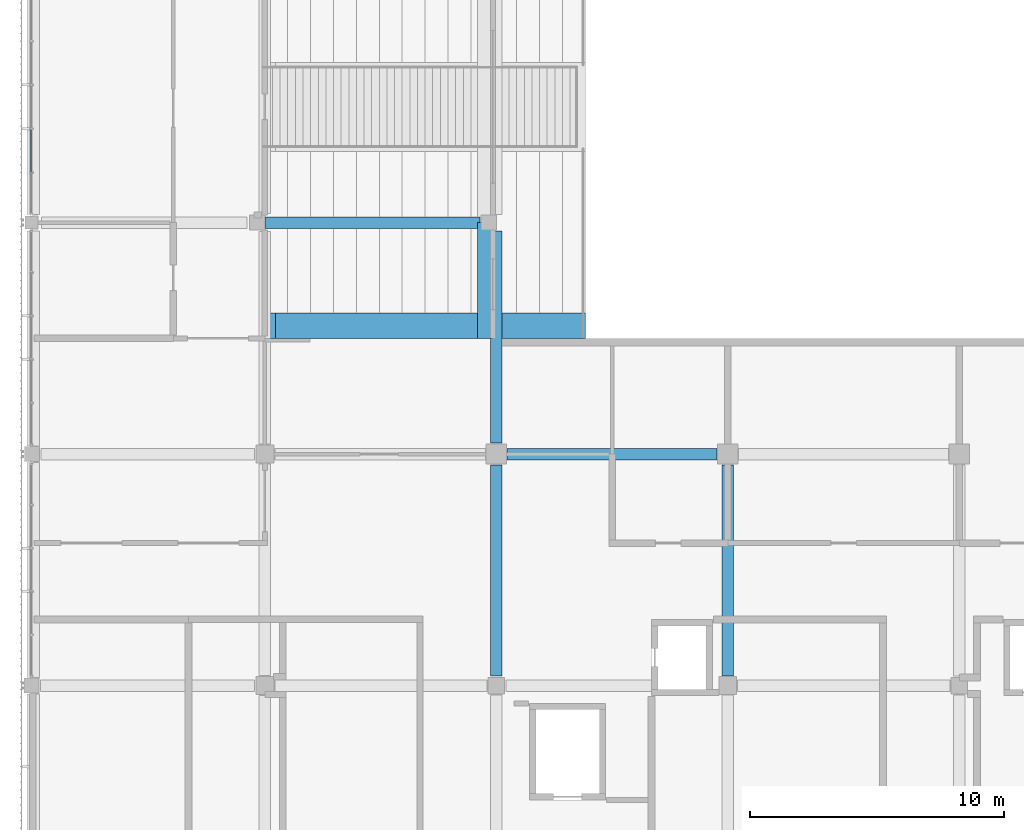
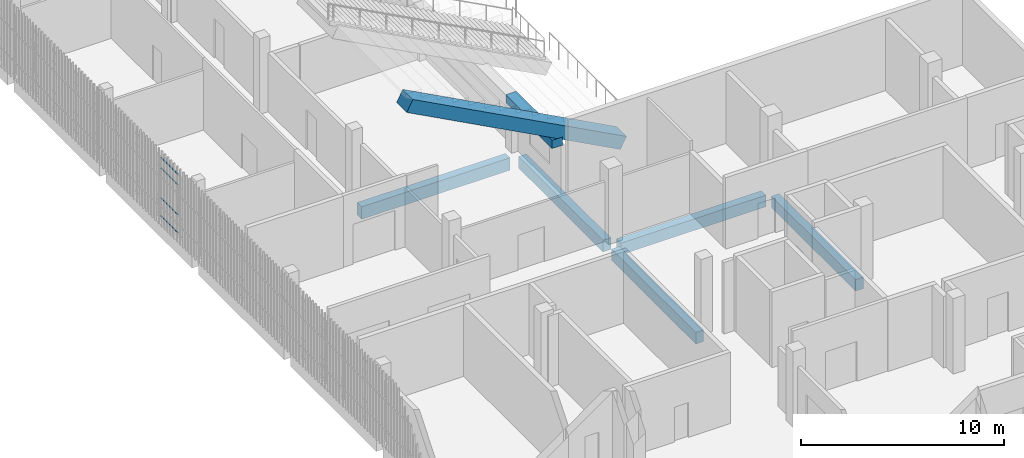
# One storey, part 17 of 139: 7 beams, 4 members, 1 element without a shape of its own.
"""IFC4 building model written with IfcOpenShell, lengths in metres."""

import ifcopenshell
import ifcopenshell.guid

model = None  # the IFC model being written
_history = None  # IfcOwnerHistory: only IFC2X3 demands one
_inside = {}  # id of a spatial element -> (the spatial element, [elements in it])
_under = {}  # id of a project, library or spatial element -> (it, [spatial elements below it])
_declared = {}  # id of a project -> (the project, [libraries it declares])
_typed = {}  # id of a type object -> (the type object, [elements of that type])
_made_of = {}  # id of a material, layer set ... -> (it, [elements and type objects made of it])


def new_model(schema):
    """Start an empty IFC model of exactly this schema.

    Asked for "IFC4X3", IfcOpenShell would pick the latest addendum, in which some entities
    have other attributes; the version numbers below select the first issue.
    IFC2X3 requires an IfcOwnerHistory on every rooted entity: one is made here for all.
    """
    global model, _history
    if schema == "IFC4X3":
        model = ifcopenshell.file(schema_version=(4, 3, 0, 0))
    else:
        model = ifcopenshell.file(schema=schema)
    _inside.clear()
    _under.clear()
    _declared.clear()
    _typed.clear()
    _made_of.clear()
    _history = None
    if model.schema == "IFC2X3":
        org = make("IfcOrganization", Name="unknown")
        user = make(
            "IfcPersonAndOrganization",
            ThePerson=make("IfcPerson", FamilyName="unknown"),
            TheOrganization=org,
        )
        app = make(
            "IfcApplication",
            ApplicationDeveloper=org,
            Version="unknown",
            ApplicationFullName="unknown",
            ApplicationIdentifier="unknown",
        )
        _history = make(
            "IfcOwnerHistory",
            OwningUser=user,
            OwningApplication=app,
            ChangeAction="ADDED",
            CreationDate=0,
        )
    return model


def make(cls, **values):
    """One entity of the class cls with the attributes given. An attribute that is None is left unset."""
    return model.create_entity(
        cls, **{name: value for name, value in values.items() if value is not None}
    )


def rooted(cls, **values):
    """An entity with a GlobalId (a new one), such as an element, a storey or a relation."""
    return make(cls, GlobalId=ifcopenshell.guid.new(), OwnerHistory=_history, **values)


def si_unit(unit_type, name, prefix=None):
    """IfcSIUnit, for example si_unit("LENGTHUNIT", "METRE", prefix="MILLI")."""
    return make("IfcSIUnit", UnitType=unit_type, Prefix=prefix, Name=name)


def assignment(units):
    """IfcUnitAssignment: the units of a project."""
    return None if units is None else make("IfcUnitAssignment", Units=units)


def point(xyz):
    """IfcCartesianPoint."""
    return None if xyz is None else make("IfcCartesianPoint", Coordinates=xyz)


def direction(xyz):
    """IfcDirection."""
    return None if xyz is None else make("IfcDirection", DirectionRatios=xyz)


def frame(location, z_axis=None, x_axis=None):
    """IfcAxis2Placement3D, a coordinate frame: its origin and axes. An axis left out is left unset."""
    return make(
        "IfcAxis2Placement3D",
        Location=point(location),
        Axis=direction(z_axis),
        RefDirection=direction(x_axis),
    )


def frame_2d(location, x_axis=None):
    """IfcAxis2Placement2D, a coordinate frame in the plane: its origin and x axis."""
    return make(
        "IfcAxis2Placement2D", Location=point(location), RefDirection=direction(x_axis)
    )


def origin():
    """The frame at (0, 0, 0) with its axes left unset."""
    return frame((0.0, 0.0, 0.0))


def origin_2d():
    """The frame at (0, 0) in the plane with its x axis left unset."""
    return frame_2d((0.0, 0.0))


def place(relative_to, where):
    """IfcLocalPlacement: puts the frame where relative to a parent placement (None: the world)."""
    return make(
        "IfcLocalPlacement", PlacementRelTo=relative_to, RelativePlacement=where
    )


def context(
    kind, dimensions, precision=None, world=None, true_north=None, identifier=None
):
    """IfcGeometricRepresentationContext, for example the 3D "Model" context."""
    return make(
        "IfcGeometricRepresentationContext",
        ContextIdentifier=identifier,
        ContextType=kind,
        CoordinateSpaceDimension=dimensions,
        Precision=precision,
        WorldCoordinateSystem=world,
        TrueNorth=true_north,
    )


def subcontext(parent, identifier, kind, view, scale=None):
    """IfcGeometricRepresentationSubContext, for example "Body" below "Model"."""
    return make(
        "IfcGeometricRepresentationSubContext",
        ContextIdentifier=identifier,
        ContextType=kind,
        ParentContext=parent,
        TargetScale=scale,
        TargetView=view,
    )


def project(units=None, contexts=None):
    """IfcProject with its units and contexts."""
    return rooted(
        "IfcProject",
        Name="project",
        RepresentationContexts=contexts,
        UnitsInContext=assignment(units),
    )


def spatial(cls, under=None, at=None, **own):
    """A site, building, storey or space (cls), placed at a placement, below another one or the project."""
    s = rooted(cls, ObjectPlacement=at, **own)
    if under is not None:
        _under.setdefault(under.id(), (under, []))[1].append(s)
    return s


def profile(cls, at=None, kind="AREA", **sizes):
    """A parametric profile (cls). Its sizes go by their IFC names, for example OverallWidth=200.0."""
    return make(cls, ProfileType=kind, Position=at, **sizes)


def rectangle(**sizes):
    """IfcRectangleProfileDef."""
    return profile("IfcRectangleProfileDef", **sizes)


def hollow_rectangle(**sizes):
    """IfcRectangleHollowProfileDef."""
    return profile("IfcRectangleHollowProfileDef", **sizes)


def extrude(swept, where, along, depth):
    """IfcExtrudedAreaSolid: the profile swept, set in the frame where, extruded along a direction by depth."""
    return make(
        "IfcExtrudedAreaSolid",
        SweptArea=swept,
        Position=where,
        ExtrudedDirection=direction(along),
        Depth=depth,
    )


def shape(context_of_items, identifier, shape_type, items):
    """IfcShapeRepresentation: the items that make up one representation, for example the "Body"."""
    return make(
        "IfcShapeRepresentation",
        ContextOfItems=context_of_items,
        RepresentationIdentifier=identifier,
        RepresentationType=shape_type,
        Items=items,
    )


def material(Name=None, Category=None):
    """IfcMaterial."""
    return make("IfcMaterial", Name=Name, Category=Category)


def layer(
    of_material, thickness, ventilated=None, Name=None, Category=None, Priority=None
):
    """IfcMaterialLayer: one layer of a wall or slab, of a material (None: an air gap)."""
    return make(
        "IfcMaterialLayer",
        Material=of_material,
        LayerThickness=thickness,
        IsVentilated=ventilated,
        Name=Name,
        Category=Category,
        Priority=Priority,
    )


def layer_set(layers, Name=None):
    """IfcMaterialLayerSet."""
    return make("IfcMaterialLayerSet", MaterialLayers=layers, LayerSetName=Name)


def material_profile(
    of_material, cross_section, Name=None, Category=None, Priority=None
):
    """IfcMaterialProfile: a cross section and its material."""
    return make(
        "IfcMaterialProfile",
        Name=Name,
        Material=of_material,
        Profile=cross_section,
        Priority=Priority,
        Category=Category,
    )


def profile_set(profiles, Name=None, composite=None):
    """IfcMaterialProfileSet."""
    return make(
        "IfcMaterialProfileSet",
        Name=Name,
        MaterialProfiles=profiles,
        CompositeProfile=composite,
    )


def made_of(thing, what):
    """Note that an element or type object is made of a material, layer set ...; save() writes the relation."""
    if what is not None:
        _made_of.setdefault(what.id(), (what, []))[1].append(thing)
    return thing


def type_object(cls, material=None, **own):
    """A type object (cls), such as IfcWallType, which elements share."""
    return made_of(rooted(cls, **own), material)


def element(
    cls,
    number,
    at=None,
    inside=None,
    cuts=None,
    type_object=None,
    material=None,
    context=None,
    identifier="Body",
    shape_type=None,
    held_by="IfcProductDefinitionShape",
    body=None,
    shapes=None,
    **own,
):
    """One element of the class cls, such as IfcWall. Its Tag is "e" and its number.

    at: its placement. inside: the storey or other place that contains it. cuts: it is an
    opening in that element (IfcRelVoidsElement). A single representation is given by context,
    identifier, shape_type and body (its items); several are given by shapes. held_by: the class
    of the entity that holds the representations. save() writes the other relations.
    """
    e = rooted(cls, Tag="e%d" % number, ObjectPlacement=at, **own)
    if body is not None:
        shapes = [shape(context, identifier, shape_type, body)]
    if shapes is not None:
        e.Representation = make(held_by, Representations=shapes)
    if inside is not None:
        _inside.setdefault(inside.id(), (inside, []))[1].append(e)
    if cuts is not None:
        rooted(
            "IfcRelVoidsElement", RelatingBuildingElement=cuts, RelatedOpeningElement=e
        )
    if type_object is not None:
        _typed.setdefault(type_object.id(), (type_object, []))[1].append(e)
    return made_of(e, material)


def aggregate(whole, parts):
    """IfcRelAggregates: a whole, such as a stair, and the parts it consists of."""
    return rooted("IfcRelAggregates", RelatingObject=whole, RelatedObjects=parts)


def save(model, path):
    """Write the relations noted so far, then the file.

    IfcRelAggregates (storeys below a building ...), IfcRelContainedInSpatialStructure (elements
    in a storey), IfcRelDefinesByType, IfcRelAssociatesMaterial and IfcRelDeclares: one each for
    every whole, place, type object, material and project.
    """
    for whole, parts in _under.values():
        aggregate(whole, parts)
    for where, things in _inside.values():
        rooted(
            "IfcRelContainedInSpatialStructure",
            RelatedElements=things,
            RelatingStructure=where,
        )
    for kind, things in _typed.values():
        rooted("IfcRelDefinesByType", RelatedObjects=things, RelatingType=kind)
    for what, things in _made_of.values():
        rooted("IfcRelAssociatesMaterial", RelatedObjects=things, RelatingMaterial=what)
    for by, libraries in _declared.values():
        rooted("IfcRelDeclares", RelatingContext=by, RelatedDefinitions=libraries)
    model.write(path)


model = new_model("IFC4")

# Units and contexts
model_context = context("Model", 3, precision=1e-05, world=origin(), true_north=direction((0.0, 1.0)))
body_context = subcontext(model_context, "Body", "Model", "MODEL_VIEW")
ifc_project = project(units=[si_unit("LENGTHUNIT", "METRE"), si_unit("AREAUNIT", "SQUARE_METRE"), si_unit("VOLUMEUNIT", "CUBIC_METRE"), si_unit("PLANEANGLEUNIT", "RADIAN"), si_unit("MASSUNIT", "GRAM", prefix="KILO")], contexts=[model_context])

# Site, building, storey
site_placement = place(None, origin())
site = spatial("IfcSite", under=ifc_project, at=site_placement, CompositionType="ELEMENT")
building_placement = place(site_placement, origin())
building = spatial("IfcBuilding", under=site, at=building_placement, Name="Shirokan Park Arena", CompositionType="ELEMENT")
storey_placement = place(building_placement, frame((0.0, 0.0, 15.469970703125)))
storey = spatial("IfcBuildingStorey", under=building, at=storey_placement, Name="L03", CompositionType="ELEMENT", Elevation=15.469970703125)

# Beams
ifc_material_1 = material(Name="Concrete C35", Category="concrete")
ifc_material_profile_1 = material_profile(ifc_material_1, rectangle(XDim=1.0, YDim=0.75, at=origin_2d()), Name="1000x750")
ifc_profile_set_1 = profile_set([ifc_material_profile_1], Name="Concrete C35")
beam_type_1 = type_object("IfcBeamType", Name="RC end raker 1000x750", PredefinedType="USERDEFINED", material=ifc_profile_set_1)
beam_1_placement = place(storey_placement, frame((21.5234375, 41.449951171875, 1.822509765625), z_axis=(-0.882353431028, 0.0, 0.470587316821), x_axis=(0.0, -1.0, 0.0)))
element("IfcBeam", 1, at=beam_1_placement, inside=storey, type_object=beam_type_1, Name="End raker upper W 1", ObjectType="END RAKER BEAM", PredefinedType="USERDEFINED", context=body_context, shape_type="SweptSolid", body=[
    extrude(rectangle(XDim=1.0, YDim=0.75, at=origin_2d()), origin(), (0.0, 0.0, 1.0), 13.79638671875),
])
ifc_material_profile_2 = material_profile(ifc_material_1, rectangle(XDim=0.449951171875, YDim=0.699951171875, at=origin_2d()), Name="450x700")
ifc_profile_set_2 = profile_set([ifc_material_profile_2], Name="Concrete C35")
beam_type_2 = type_object("IfcBeamType", Name="RC girder 450x700", PredefinedType="BEAM", material=ifc_profile_set_2)
beam_2_placement = place(storey_placement, frame((18.625, 36.39990234375, -0.64990234375), z_axis=(1.0, 0.0, 0.0), x_axis=(0.0, 1.0, 0.0)))
element("IfcBeam", 2, at=beam_2_placement, inside=storey, type_object=beam_type_2, Name="Girder 3E-4E L03", PredefinedType="BEAM", context=body_context, shape_type="SweptSolid", body=[
    extrude(rectangle(XDim=0.449951171875, YDim=0.699951171875, at=origin_2d()), origin(), (0.0, 0.0, 1.0), 8.25),
])
beam_3_placement = place(storey_placement, frame((18.199951171875, 27.675048828125, -0.64990234375), z_axis=(0.0, 1.0, 0.0), x_axis=(-1.0, 0.0, 0.0)))
element("IfcBeam", 3, at=beam_3_placement, inside=storey, type_object=beam_type_2, Name="Girder 3D-3E L03", PredefinedType="BEAM", context=body_context, shape_type="SweptSolid", body=[
    extrude(rectangle(XDim=0.449951171875, YDim=0.699951171875, at=origin_2d()), origin(), (0.0, 0.0, 1.0), 8.2998046875),
])
beam_4_placement = place(storey_placement, frame((18.199951171875, 36.8251953125, -0.64990234375), z_axis=(0.0, 1.0, 0.0), x_axis=(-1.0, 0.0, 0.0)))
element("IfcBeam", 4, at=beam_4_placement, inside=storey, type_object=beam_type_2, Name="Girder 3E-3F L03", PredefinedType="BEAM", context=body_context, shape_type="SweptSolid", body=[
    extrude(rectangle(XDim=0.449951171875, YDim=0.699951171875, at=origin_2d()), origin(), (0.0, 0.0, 1.0), 8.349609375),
])
beam_5_placement = place(storey_placement, frame((27.300048828125, 27.675048828125, -0.64990234375), z_axis=(0.0, 1.0, 0.0), x_axis=(-1.0, 0.0, 0.0)))
element("IfcBeam", 5, at=beam_5_placement, inside=storey, type_object=beam_type_2, Name="Girder 4D-4E L03", PredefinedType="BEAM", context=body_context, shape_type="SweptSolid", body=[
    extrude(rectangle(XDim=0.449951171875, YDim=0.699951171875, at=origin_2d()), origin(), (0.0, 0.0, 1.0), 8.2998046875),
])
ifc_material_profile_3 = material_profile(ifc_material_1, rectangle(XDim=0.449951171875, YDim=0.75, at=origin_2d()), Name="450x750")
ifc_profile_set_3 = profile_set([ifc_material_profile_3], Name="Concrete C35")
beam_type_3 = type_object("IfcBeamType", Name="RC girder 450x750", PredefinedType="BEAM", material=ifc_profile_set_3)
beam_6_placement = place(storey_placement, frame((9.10009765625, 45.5, -0.675048828125), z_axis=(1.0, 0.0, 0.0), x_axis=(0.0, 1.0, 0.0)))
element("IfcBeam", 6, at=beam_6_placement, inside=storey, type_object=beam_type_3, Name="Girder 2F-3F L03", PredefinedType="BEAM", context=body_context, shape_type="SweptSolid", body=[
    extrude(rectangle(XDim=0.449951171875, YDim=0.75, at=origin_2d()), origin(), (0.0, 0.0, 1.0), 8.44970703125),
])
ifc_material_profile_4 = material_profile(ifc_material_1, rectangle(XDim=0.60009765625, YDim=0.5, at=origin_2d()), Name="600x500")
ifc_profile_set_4 = profile_set([ifc_material_profile_4], Name="Concrete C35")
beam_type_4 = type_object("IfcBeamType", Name="RC stand girder end bay 600x500", PredefinedType="BEAM", material=ifc_profile_set_4)
beam_7_placement = place(storey_placement, frame((17.75, 40.949951171875, 3.159912109375), z_axis=(0.0, 1.0, 0.0), x_axis=(-1.0, 0.0, 0.0)))
element("IfcBeam", 7, at=beam_7_placement, inside=storey, type_object=beam_type_4, Name="Stand girder W R3 1", PredefinedType="BEAM", context=body_context, shape_type="SweptSolid", body=[
    extrude(rectangle(XDim=0.60009765625, YDim=0.5, at=origin_2d()), origin(), (0.0, 0.0, 1.0), 4.550048828125),
])

# Curtain wall, members
ifc_material_2 = material(Name="Steel and glass curtain wall", Category="steel")
ifc_layer = layer(ifc_material_2, 0.14990234375)
ifc_layer_set = layer_set([ifc_layer], Name="Steel and glass curtain wall 150 mm")
curtain_wall_type = type_object("IfcCurtainWallType", Name="Curtain wall exposed bay 150", PredefinedType="NOTDEFINED", material=ifc_layer_set)
curtain_wall_placement = place(storey_placement, origin())
curtain_wall = element("IfcCurtainWall", 8, at=curtain_wall_placement, inside=storey, type_object=curtain_wall_type, Name="Curtain wall west bay 7 L03", PredefinedType="NOTDEFINED")
ifc_material_3 = material(Name="Steel S355", Category="steel")
ifc_material_profile_5 = material_profile(ifc_material_3, hollow_rectangle(XDim=0.06005859375, YDim=0.0400390625, WallThickness=0.00390625, at=origin_2d()), Name="RHS 60x40x4")
ifc_profile_set_5 = profile_set([ifc_material_profile_5], Name="Steel S355")
member_type = type_object("IfcMemberType", Name="Transom RHS 60x40x4", PredefinedType="MULLION", material=ifc_profile_set_5)
member_1_placement = place(storey_placement, frame((-0.074951171875, 49.1650390625, 0.02001953125), z_axis=(0.0, -1.0, 0.0), x_axis=(1.0, 0.0, 0.0)))
member_1 = element("IfcMember", 9, at=member_1_placement, type_object=member_type, Name="CW1 transom 4.1", PredefinedType="MULLION", context=body_context, shape_type="SweptSolid", body=[
    extrude(hollow_rectangle(XDim=0.06005859375, YDim=0.0400390625, WallThickness=0.00390625, at=origin_2d()), origin(), (0.0, 0.0, 1.0), 1.669921875),
])
member_2_placement = place(storey_placement, frame((-0.074951171875, 49.1650390625, 1.10009765625), z_axis=(0.0, -1.0, 0.0), x_axis=(1.0, 0.0, 0.0)))
member_2 = element("IfcMember", 10, at=member_2_placement, type_object=member_type, Name="CW1 transom 4.2", PredefinedType="MULLION", context=body_context, shape_type="SweptSolid", body=[
    extrude(hollow_rectangle(XDim=0.06005859375, YDim=0.0400390625, WallThickness=0.00390625, at=origin_2d()), origin(), (0.0, 0.0, 1.0), 1.669921875),
])
member_3_placement = place(storey_placement, frame((-0.074951171875, 49.1650390625, 2.900146484375), z_axis=(0.0, -1.0, 0.0), x_axis=(1.0, 0.0, 0.0)))
member_3 = element("IfcMember", 11, at=member_3_placement, type_object=member_type, Name="CW1 transom 4.3", PredefinedType="MULLION", context=body_context, shape_type="SweptSolid", body=[
    extrude(hollow_rectangle(XDim=0.06005859375, YDim=0.0400390625, WallThickness=0.00390625, at=origin_2d()), origin(), (0.0, 0.0, 1.0), 1.669921875),
])
member_4_placement = place(storey_placement, frame((-0.074951171875, 49.1650390625, 3.530029296875), z_axis=(0.0, -1.0, 0.0), x_axis=(1.0, 0.0, 0.0)))
member_4 = element("IfcMember", 12, at=member_4_placement, type_object=member_type, Name="CW1 transom 4.4", PredefinedType="MULLION", context=body_context, shape_type="SweptSolid", body=[
    extrude(hollow_rectangle(XDim=0.06005859375, YDim=0.0400390625, WallThickness=0.00390625, at=origin_2d()), origin(), (0.0, 0.0, 1.0), 1.669921875),
])
aggregate(curtain_wall, [member_1, member_2, member_3, member_4])

save(model, "model.ifc")
